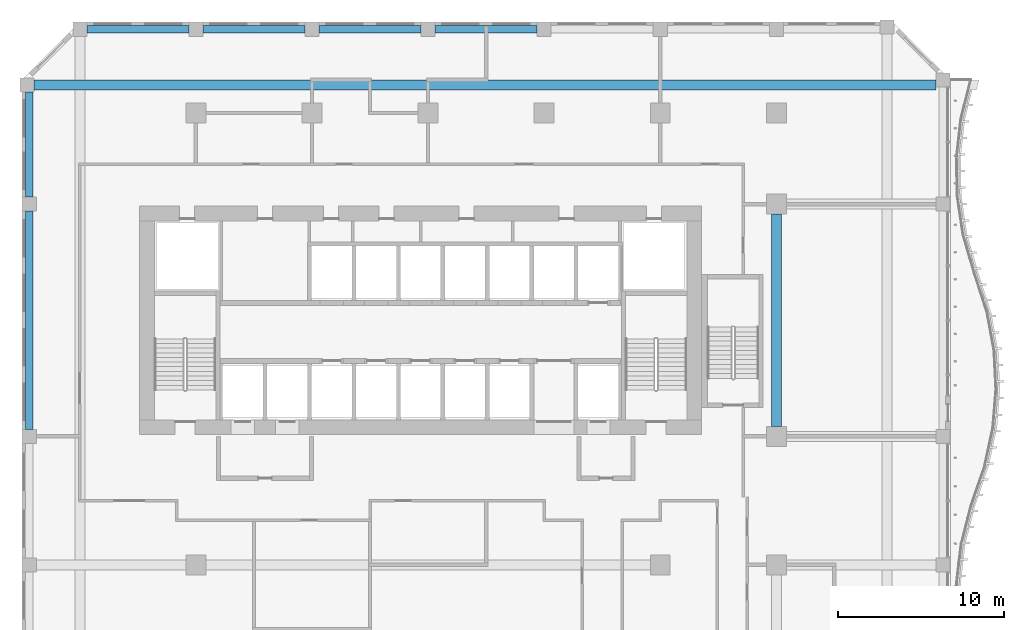
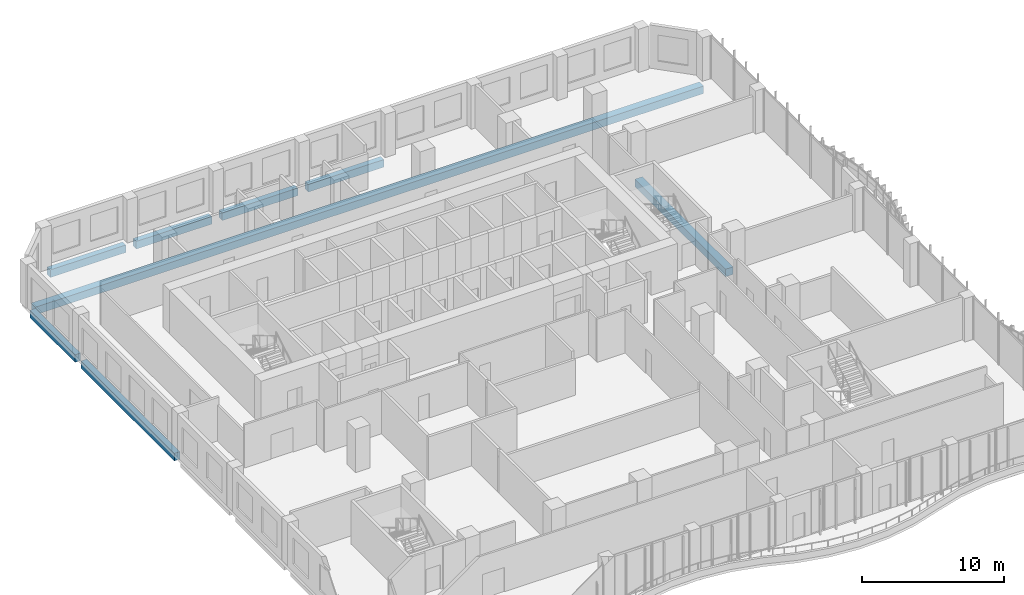
# One storey, part 9 of 26: 8 beams.
"""IFC4 building model written with IfcOpenShell, lengths in metres."""

from ifc_helpers import new_model, si_unit, direction, frame, origin, origin_2d, place, context, subcontext, project, spatial, rectangle, extrude, source, transform, mapped, material, material_profile, profile_set, type_object, element, save


model = new_model("IFC4")

# Units and contexts
model_context = context("Model", 3, precision=1e-05, world=origin(), true_north=direction((0.0, 1.0)))
body_context = subcontext(model_context, "Body", "Model", "MODEL_VIEW")
ifc_project = project(units=[si_unit("LENGTHUNIT", "METRE"), si_unit("AREAUNIT", "SQUARE_METRE"), si_unit("VOLUMEUNIT", "CUBIC_METRE"), si_unit("PLANEANGLEUNIT", "RADIAN"), si_unit("MASSUNIT", "GRAM", prefix="KILO")], contexts=[model_context])

# Site, building, storey
site_placement = place(None, origin())
site = spatial("IfcSite", under=ifc_project, at=site_placement, CompositionType="ELEMENT")
building_placement = place(site_placement, origin())
building = spatial("IfcBuilding", under=site, at=building_placement, Name="Kilnfold Tower and Market Hall", CompositionType="ELEMENT")
storey_placement = place(building_placement, frame((0.0, 0.0, 104.60009765625)))
storey = spatial("IfcBuildingStorey", under=building, at=storey_placement, Name="L24", CompositionType="ELEMENT", Elevation=104.60009765625)

# Beams
ifc_material_1 = material(Name="Concrete C45", Category="concrete")
ifc_material_profile_1 = material_profile(ifc_material_1, rectangle(XDim=0.449951171875, YDim=0.64990234375, at=origin_2d()), Name="RC 450x650")
ifc_profile_set_1 = profile_set([ifc_material_profile_1], Name="Concrete C45")
beam_type_1 = type_object("IfcBeamType", Name="EDGE BEAM 450X650 C45", PredefinedType="BEAM", material=ifc_profile_set_1)
shared_shape_1 = source(origin(), body_context, "Body", "SweptSolid", [
    extrude(rectangle(XDim=0.449951171875, YDim=0.64990234375, at=origin_2d()), origin(), (0.0, 0.0, 1.0), 6.14990234375),
])
for number, where, z_axis, x_axis, name in (
    (1, (-19.074951171875, 32.550048828125, -0.60498046875), (1.0, 0.0, 0.0), (0.0, 1.0, 0.0), "Beam EB650-B3.67"),
    (2, (-12.074951171875, 32.550048828125, -0.60498046875), (1.0, 0.0, 0.0), (0.0, 1.0, 0.0), "Beam EB650-B3.68"),
    (3, (-5.074951171875, 32.550048828125, -0.60498046875), (1.0, 0.0, 0.0), (0.0, 1.0, 0.0), "Beam EB650-B3.69"),
    (4, (1.925048828125, 32.550048828125, -0.60498046875), (1.0, 0.0, 0.0), (0.0, 1.0, 0.0), "Beam EB650-B3.70"),
):
    element("IfcBeam", number, at=place(storey_placement, frame(where, z_axis=z_axis, x_axis=x_axis)), inside=storey, type_object=beam_type_1, Name=name, PredefinedType="BEAM", context=body_context, shape_type="MappedRepresentation", body=[
        mapped(shared_shape_1, transform((0.0, 0.0, 0.0))),
    ])
ifc_material_2 = material(Name="Concrete C45", Category="concrete")
ifc_material_profile_2 = material_profile(ifc_material_2, rectangle(XDim=0.60009765625, YDim=0.64990234375, at=origin_2d()), Name="RC 600x650")
ifc_profile_set_2 = profile_set([ifc_material_profile_2], Name="Concrete C45")
beam_type_2 = type_object("IfcBeamType", Name="BEAM 600X650 C45", PredefinedType="BEAM", material=ifc_profile_set_2)
shared_shape_2 = source(origin(), body_context, "Body", "SweptSolid", [
    extrude(rectangle(XDim=0.60009765625, YDim=0.64990234375, at=origin_2d()), origin(), (0.0, 0.0, 1.0), 54.3818359375),
])
beam_1_placement = place(storey_placement, frame((-22.2568359375, 29.179931640625, -0.60498046875), z_axis=(1.0, 0.0, 0.0), x_axis=(0.0, 1.0, 0.0)))
element("IfcBeam", 5, at=beam_1_placement, inside=storey, type_object=beam_type_2, Name="Beam BB650-B3.66", PredefinedType="BEAM", context=body_context, shape_type="MappedRepresentation", body=[
    mapped(shared_shape_2, transform((0.0, 0.0, 0.0))),
])
shared_shape_3 = source(origin(), body_context, "Body", "SweptSolid", [
    extrude(rectangle(XDim=0.449951171875, YDim=0.64990234375, at=origin_2d()), origin(), (0.0, 0.0, 1.0), 13.14990234375),
])
beam_2_placement = place(storey_placement, frame((-22.550048828125, 8.425048828125, -0.60498046875), z_axis=(0.0, 1.0, 0.0), x_axis=(-1.0, 0.0, 0.0)))
element("IfcBeam", 6, at=beam_2_placement, inside=storey, type_object=beam_type_1, Name="Beam EB650-B3.77", PredefinedType="BEAM", context=body_context, shape_type="MappedRepresentation", body=[
    mapped(shared_shape_3, transform((0.0, 0.0, 0.0))),
])
shared_shape_4 = source(origin(), body_context, "Body", "SweptSolid", [
    extrude(rectangle(XDim=0.449951171875, YDim=0.64990234375, at=origin_2d()), origin(), (0.0, 0.0, 1.0), 6.331787109375),
])
beam_3_placement = place(storey_placement, frame((-22.550048828125, 22.425048828125, -0.60498046875), z_axis=(0.0, 1.0, 0.0), x_axis=(-1.0, 0.0, 0.0)))
element("IfcBeam", 7, at=beam_3_placement, inside=storey, type_object=beam_type_1, Name="Beam EB650-B3.78", PredefinedType="BEAM", context=body_context, shape_type="MappedRepresentation", body=[
    mapped(shared_shape_4, transform((0.0, 0.0, 0.0))),
])
shared_shape_5 = source(origin(), body_context, "Body", "SweptSolid", [
    extrude(rectangle(XDim=0.60009765625, YDim=0.64990234375, at=origin_2d()), origin(), (0.0, 0.0, 1.0), 12.7998046875),
])
beam_4_placement = place(storey_placement, frame((22.5, 8.60009765625, -0.60498046875), z_axis=(0.0, 1.0, 0.0), x_axis=(-1.0, 0.0, 0.0)))
element("IfcBeam", 8, at=beam_4_placement, inside=storey, type_object=beam_type_2, Name="Beam BB650-B3.81", PredefinedType="BEAM", context=body_context, shape_type="MappedRepresentation", body=[
    mapped(shared_shape_5, transform((0.0, 0.0, 0.0))),
])

save(model, "model.ifc")
